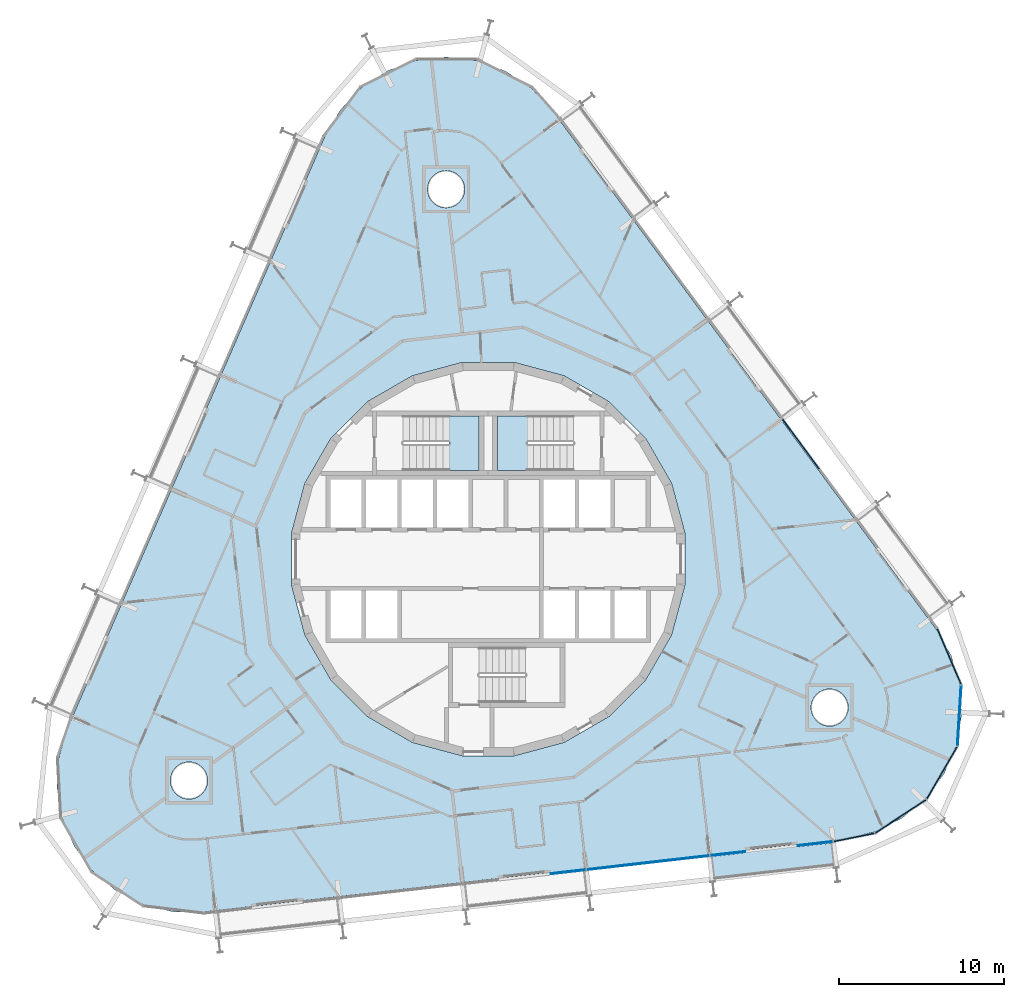
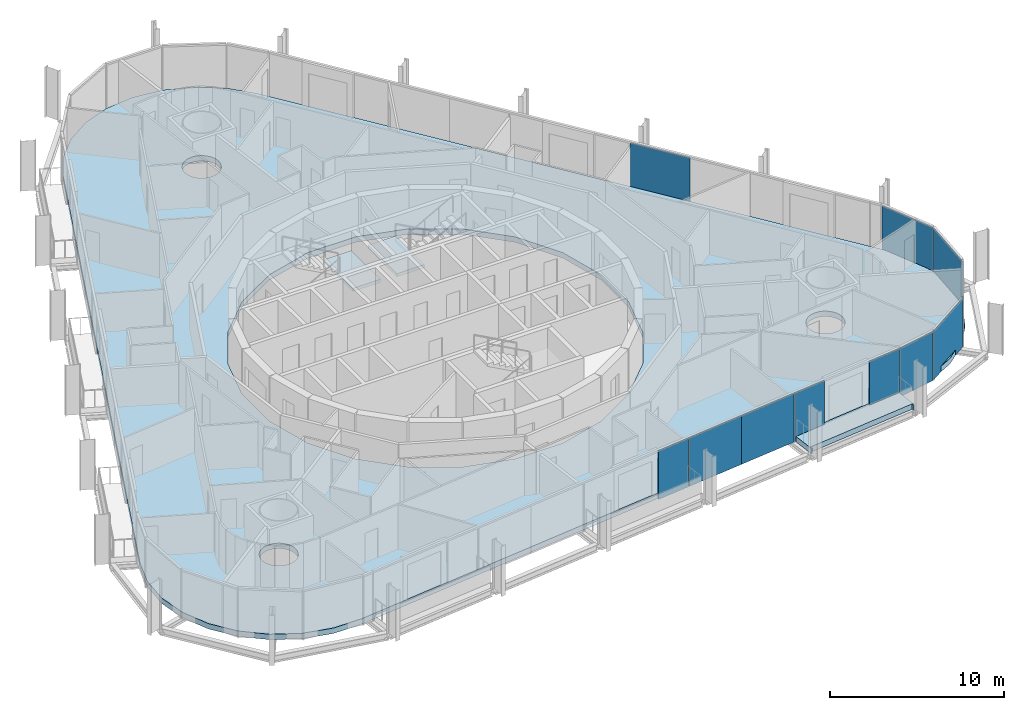
# One storey, part 14 of 24: 11 plates, 4 slabs, 5 elements without a shape of their own.
"""IFC4 building model written with IfcOpenShell, lengths in metres."""

from ifc_helpers import new_model, si_unit, direction, frame, origin, origin_2d, place, context, subcontext, project, spatial, polyline, rectangle, outline, extrude, material, layer, layer_set, type_object, element, aggregate, save


model = new_model("IFC4")

# Units and contexts
model_context = context("Model", 3, precision=1e-05, world=origin(), true_north=direction((0.0, 1.0)))
body_context = subcontext(model_context, "Body", "Model", "MODEL_VIEW")
ifc_project = project(units=[si_unit("LENGTHUNIT", "METRE"), si_unit("AREAUNIT", "SQUARE_METRE"), si_unit("VOLUMEUNIT", "CUBIC_METRE"), si_unit("PLANEANGLEUNIT", "RADIAN"), si_unit("MASSUNIT", "GRAM", prefix="KILO")], contexts=[model_context])

# Site, building, storey
site_placement = place(None, origin())
site = spatial("IfcSite", under=ifc_project, at=site_placement, CompositionType="ELEMENT")
building_placement = place(site_placement, origin())
building = spatial("IfcBuilding", under=site, at=building_placement, Name="Spindle Arch Residences", CompositionType="ELEMENT")
storey_placement = place(building_placement, frame((0.0, 0.0, 101.199951171875)))
storey = spatial("IfcBuildingStorey", under=building, at=storey_placement, Name="L24", CompositionType="ELEMENT", Elevation=101.199951171875)

# Slab
ifc_material_1 = material(Name="Concrete C40/50", Category="concrete")
ifc_layer_1 = layer(ifc_material_1, 0.3798828125)
ifc_layer_set_1 = layer_set([ifc_layer_1], Name="Balcony slab 380")
slab_type_1 = type_object("IfcSlabType", Name="Balcony slab 380", PredefinedType="FLOOR", material=ifc_layer_set_1)
slab_1_placement = place(storey_placement, frame((0.0, 0.0, -0.3798828125)))
element("IfcSlab", 1, at=slab_1_placement, inside=storey, type_object=slab_type_1, Name="Balcony L24 bay 2", PredefinedType="FLOOR", context=body_context, shape_type="SweptSolid", body=[
    extrude(outline(polyline([(13.64697265625, -19.48779296875), (13.7216796875, -19.4794921875), (13.70458984375, -19.330322265625), (20.876953125, -18.51318359375), (20.89404296875, -18.662109375), (20.968505859375, -18.65380859375), (20.7998046875, -17.17333984375), (18.728759765625, -17.4091796875), (18.710693359375, -17.250244140625), (15.53125, -17.612548828125), (15.54931640625, -17.771484375), (13.478271484375, -18.007568359375), (13.64697265625, -19.48779296875)])), origin(), (0.0, 0.0, 1.0), 0.3798828125),
])

# Stair, slab
ifc_material_2 = material(Name="Concrete C50/60", Category="concrete")
stair_type = type_object("IfcStairType", Name="Exit stair 16 risers", PredefinedType="HALF_TURN_STAIR", material=ifc_material_2)
stair_1_placement = place(storey_placement, origin())
stair_1 = element("IfcStair", 2, at=stair_1_placement, inside=storey, type_object=stair_type, Name="L24 Exit stair ST1", PredefinedType="HALF_TURN_STAIR")
ifc_material_3 = material(Name="Concrete C50/60", Category="concrete")
ifc_layer_2 = layer(ifc_material_3, 0.219970703125)
ifc_layer_set_2 = layer_set([ifc_layer_2], Name="Exit stair landing 220")
slab_type_2 = type_object("IfcSlabType", Name="Exit stair landing 220", PredefinedType="LANDING", material=ifc_layer_set_2)
slab_2_placement = place(storey_placement, frame((0.0, 0.0, 1.530029296875)))
slab_2 = element("IfcSlab", 3, at=slab_2_placement, type_object=slab_type_2, Name="ST1 landing 1", PredefinedType="LANDING", context=body_context, shape_type="SweptSolid", body=[
    extrude(outline(polyline([(2.3701171875, 8.669921875), (0.550048828125, 8.669921875), (0.550048828125, 5.35009765625), (2.3701171875, 5.35009765625), (2.3701171875, 8.669921875)])), origin(), (0.0, 0.0, 1.0), 0.219970703125),
])
aggregate(stair_1, [slab_2])

stair_2_placement = place(storey_placement, origin())
stair_2 = element("IfcStair", 4, at=stair_2_placement, inside=storey, type_object=stair_type, Name="L24 Exit stair ST2", PredefinedType="HALF_TURN_STAIR")
slab_3_placement = place(storey_placement, frame((0.0, 0.0, 1.530029296875)))
slab_3 = element("IfcSlab", 5, at=slab_3_placement, type_object=slab_type_2, Name="ST2 landing 1", PredefinedType="LANDING", context=body_context, shape_type="SweptSolid", body=[
    extrude(outline(polyline([(-2.3701171875, 5.35009765625), (-0.550048828125, 5.35009765625), (-0.550048828125, 8.669921875), (-2.3701171875, 8.669921875), (-2.3701171875, 5.35009765625)])), origin(), (0.0, 0.0, 1.0), 0.219970703125),
])
aggregate(stair_2, [slab_3])

# Slab
ifc_material_4 = material(Name="Concrete C40/50", Category="concrete")
ifc_layer_3 = layer(ifc_material_4, 0.3798828125)
ifc_layer_set_3 = layer_set([ifc_layer_3], Name="Floor slab 380")
slab_type_3 = type_object("IfcSlabType", Name="Floor slab 380", PredefinedType="FLOOR", material=ifc_layer_set_3)
slab_4_placement = place(storey_placement, frame((0.0, 0.0, -0.3798828125)))
element("IfcSlab", 6, at=slab_4_placement, inside=storey, type_object=slab_type_3, Name="Floor slab L24", PredefinedType="FLOOR", context=body_context, shape_type="SweptSolid", body=[
    extrude(outline(polyline([(-19.05078125, -21.335693359375), (-20.85693359375, -20.902099609375), (-22.514404296875, -20.0634765625), (-23.933837890625, -18.865478515625), (-25.038818359375, -17.372314453125), (-25.769287109375, -15.66455078125), (-26.086669921875, -13.83447265625), (-25.973388671875, -11.98046875), (-25.435302734375, -10.202392578125), (-9.88525390625, 25.560302734375), (-8.951904296875, 27.166259765625), (-7.673095703125, 28.513671875), (-6.118408203125, 29.52978515625), (-4.37109375, 30.159912109375), (-2.525390625, 30.370361328125), (-0.68115234375, 30.1494140625), (1.0625, 29.5087890625), (2.611328125, 28.483642578125), (3.882080078125, 27.12890625), (27.07861328125, -4.21923828125), (28.002685546875, -5.83056640625), (28.530029296875, -7.611572265625), (28.6328125, -9.46630859375), (28.304931640625, -11.294677734375), (27.564208984375, -12.998046875), (26.45068359375, -14.484619140625), (25.0244140625, -15.674560546875), (23.36181640625, -16.50341796875), (21.55322265625, -16.926513671875), (2.179931640625, -19.1337890625), (-17.193115234375, -21.341064453125), (-19.05078125, -21.335693359375)]), holes=[polyline([(7.30517578125, -9.520263671875), (9.520263671875, -7.30517578125), (11.086669921875, -4.59228515625), (11.897216796875, -1.56640625), (11.897216796875, 1.56640625), (11.086669921875, 4.59228515625), (9.520263671875, 7.30517578125), (7.30517578125, 9.520263671875), (4.59228515625, 11.086669921875), (1.56640625, 11.897216796875), (-1.56640625, 11.897216796875), (-4.59228515625, 11.086669921875), (-7.30517578125, 9.520263671875), (-9.520263671875, 7.30517578125), (-11.086669921875, 4.59228515625), (-11.897216796875, 1.56640625), (-11.897216796875, -1.56640625), (-11.086669921875, -4.59228515625), (-9.520263671875, -7.30517578125), (-7.30517578125, -9.520263671875), (-4.59228515625, -11.086669921875), (-1.56640625, -11.897216796875), (1.56640625, -11.897216796875), (4.59228515625, -11.086669921875), (7.30517578125, -9.520263671875)]), polyline([(-17.303466796875, -14.18798828125), (-17.16357421875, -14.017578125), (-17.0595703125, -13.822998046875), (-16.99560546875, -13.612060546875), (-16.973876953125, -13.392578125), (-16.99560546875, -13.173095703125), (-17.0595703125, -12.9619140625), (-17.16357421875, -12.767578125), (-17.303466796875, -12.596923828125), (-17.473876953125, -12.45703125), (-17.66845703125, -12.35302734375), (-17.87939453125, -12.2890625), (-18.098876953125, -12.267578125), (-18.318359375, -12.2890625), (-18.529296875, -12.35302734375), (-18.723876953125, -12.45703125), (-18.894287109375, -12.596923828125), (-19.0341796875, -12.767578125), (-19.13818359375, -12.9619140625), (-19.202392578125, -13.173095703125), (-19.223876953125, -13.392578125), (-19.202392578125, -13.612060546875), (-19.13818359375, -13.822998046875), (-19.0341796875, -14.017578125), (-18.894287109375, -14.18798828125), (-18.723876953125, -14.327880859375), (-18.529296875, -14.431884765625), (-18.318359375, -14.495849609375), (-18.098876953125, -14.517578125), (-17.87939453125, -14.495849609375), (-17.66845703125, -14.431884765625), (-17.473876953125, -14.327880859375), (-17.303466796875, -14.18798828125)]), polyline([(-1.75341796875, 21.57470703125), (-1.61328125, 21.745361328125), (-1.509521484375, 21.939697265625), (-1.4453125, 22.15087890625), (-1.423828125, 22.370361328125), (-1.4453125, 22.58984375), (-1.509521484375, 22.80078125), (-1.61328125, 22.995361328125), (-1.75341796875, 23.165771484375), (-1.923828125, 23.3056640625), (-2.118408203125, 23.40966796875), (-2.329345703125, 23.4736328125), (-2.548828125, 23.495361328125), (-2.768310546875, 23.4736328125), (-2.979248046875, 23.40966796875), (-3.173828125, 23.3056640625), (-3.34423828125, 23.165771484375), (-3.484130859375, 22.995361328125), (-3.588134765625, 22.80078125), (-3.652099609375, 22.58984375), (-3.673828125, 22.370361328125), (-3.652099609375, 22.15087890625), (-3.588134765625, 21.939697265625), (-3.484130859375, 21.745361328125), (-3.34423828125, 21.57470703125), (-3.173828125, 21.434814453125), (-2.979248046875, 21.330810546875), (-2.768310546875, 21.266845703125), (-2.548828125, 21.245361328125), (-2.329345703125, 21.266845703125), (-2.118408203125, 21.330810546875), (-1.923828125, 21.434814453125), (-1.75341796875, 21.57470703125)]), polyline([(21.443115234375, -9.773193359375), (21.5830078125, -9.602783203125), (21.68701171875, -9.408203125), (21.7509765625, -9.197265625), (21.772705078125, -8.977783203125), (21.7509765625, -8.75830078125), (21.68701171875, -8.54736328125), (21.5830078125, -8.352783203125), (21.443115234375, -8.182373046875), (21.272705078125, -8.04248046875), (21.078125, -7.9384765625), (20.8671875, -7.87451171875), (20.647705078125, -7.852783203125), (20.427978515625, -7.87451171875), (20.217041015625, -7.9384765625), (20.022705078125, -8.04248046875), (19.85205078125, -8.182373046875), (19.712158203125, -8.352783203125), (19.608154296875, -8.54736328125), (19.544189453125, -8.75830078125), (19.522705078125, -8.977783203125), (19.544189453125, -9.197265625), (19.608154296875, -9.408203125), (19.712158203125, -9.602783203125), (19.85205078125, -9.773193359375), (20.022705078125, -9.9130859375), (20.217041015625, -10.01708984375), (20.427978515625, -10.081298828125), (20.647705078125, -10.102783203125), (20.8671875, -10.081298828125), (21.078125, -10.01708984375), (21.272705078125, -9.9130859375), (21.443115234375, -9.773193359375)])]), origin(), (0.0, 0.0, 1.0), 0.3798828125),
])

# Curtain wall, plates
ifc_material_5 = material(Name="Aluminium bronze unitised frame with tinted glass", Category="aluminium")
ifc_layer_4 = layer(ifc_material_5, 0.159912109375)
ifc_layer_set_4 = layer_set([ifc_layer_4], Name="CW-D corner wall on the fillet arcs")
curtain_wall_type_1 = type_object("IfcCurtainWallType", Name="CW-D corner wall on the fillet arcs", PredefinedType="NOTDEFINED", material=ifc_layer_set_4)
curtain_wall_1_placement = place(storey_placement, origin())
curtain_wall_1 = element("IfcCurtainWall", 7, at=curtain_wall_1_placement, inside=storey, type_object=curtain_wall_type_1, Name="CW-D L24 run 1", PredefinedType="NOTDEFINED")
ifc_material_6 = material(Name="Tinted double glazing over aluminium faced non-combustible spandrel zone (K0)", Category="aluminium")
ifc_layer_5 = layer(ifc_material_6, 0.06005859375)
ifc_layer_set_5 = layer_set([ifc_layer_5], Name="Unitised glass panel with E 60 spandrel zone")
plate_type = type_object("IfcPlateType", Name="Unitised glass panel with E 60 spandrel zone", PredefinedType="CURTAIN_PANEL", material=ifc_layer_set_5)
plate_1_placement = place(storey_placement, frame((22.127197265625, -16.83203125, -0.3798828125), z_axis=(0.0, 0.0, 1.0), x_axis=(0.980430998553, 0.196863041416, 0.0)))
plate_1 = element("IfcPlate", 8, at=plate_1_placement, type_object=plate_type, Name="CW-D unit 00", PredefinedType="CURTAIN_PANEL", context=body_context, shape_type="SweptSolid", body=[
    extrude(rectangle(XDim=2.51416015625, YDim=0.06005859375, at=origin_2d()), origin(), (0.0, 0.0, 1.0), 3.3798828125),
])
plate_2_placement = place(storey_placement, frame((24.948974609375, -15.55908203125, -0.3798828125), z_axis=(0.0, 0.0, 1.0), x_axis=(0.83708272954, 0.547076323657, 0.0)))
plate_2 = element("IfcPlate", 9, at=plate_2_placement, type_object=plate_type, Name="CW-D unit 01", PredefinedType="CURTAIN_PANEL", context=body_context, shape_type="SweptSolid", body=[
    extrude(rectangle(XDim=3.666748046875, YDim=0.06005859375, at=origin_2d()), origin(), (0.0, 0.0, 1.0), 3.3798828125),
])
plate_3_placement = place(storey_placement, frame((27.445068359375, -12.9287109375, -0.3798828125), z_axis=(0.0, 0.0, 1.0), x_axis=(0.502517045345, 0.864567301682, 0.0)))
plate_3 = element("IfcPlate", 10, at=plate_3_placement, type_object=plate_type, Name="CW-D unit 02", PredefinedType="CURTAIN_PANEL", context=body_context, shape_type="SweptSolid", body=[
    extrude(rectangle(XDim=3.666748046875, YDim=0.06005859375, at=origin_2d()), origin(), (0.0, 0.0, 1.0), 3.3798828125),
])
plate_4_placement = place(storey_placement, frame((28.4951171875, -9.457763671875, -0.3798828125), z_axis=(0.0, 0.0, 1.0), x_axis=(0.06104853612, 0.998134798631, 0.0)))
plate_4 = element("IfcPlate", 11, at=plate_4_placement, type_object=plate_type, Name="CW-D unit 03", PredefinedType="CURTAIN_PANEL", context=body_context, shape_type="SweptSolid", body=[
    extrude(rectangle(XDim=3.666748046875, YDim=0.06005859375, at=origin_2d()), origin(), (0.0, 0.0, 1.0), 3.3798828125),
])
plate_5_placement = place(storey_placement, frame((27.8759765625, -5.884765625, -0.3798828125), z_axis=(0.0, 0.0, 1.0), x_axis=(-0.393407112882, 0.919364369298, 0.0)))
plate_5 = element("IfcPlate", 12, at=plate_5_placement, type_object=plate_type, Name="CW-D unit 04", PredefinedType="CURTAIN_PANEL", context=body_context, shape_type="SweptSolid", body=[
    extrude(rectangle(XDim=3.666748046875, YDim=0.06005859375, at=origin_2d()), origin(), (0.0, 0.0, 1.0), 3.3798828125),
])
aggregate(curtain_wall_1, [plate_1, plate_2, plate_3, plate_4, plate_5])

# Curtain wall, plate
ifc_material_7 = material(Name="Aluminium bronze unitised frame with tinted glass", Category="aluminium")
ifc_layer_6 = layer(ifc_material_7, 0.159912109375)
ifc_layer_set_6 = layer_set([ifc_layer_6], Name="CW-C typical residential unitised wall")
curtain_wall_type_2 = type_object("IfcCurtainWallType", Name="CW-C typical residential unitised wall", PredefinedType="NOTDEFINED", material=ifc_layer_set_6)
curtain_wall_2_placement = place(storey_placement, origin())
curtain_wall_2 = element("IfcCurtainWall", 13, at=curtain_wall_2_placement, inside=storey, type_object=curtain_wall_type_2, Name="CW-C L24 run 2", PredefinedType="NOTDEFINED")
plate_6_placement = place(storey_placement, frame((18.90771484375, 6.957275390625, -0.3798828125), z_axis=(0.0, 0.0, 1.0), x_axis=(-0.594822786751, 0.803856860617, 0.0)))
plate_6 = element("IfcPlate", 14, at=plate_6_placement, type_object=plate_type, Name="CW-C unit 06B", PredefinedType="CURTAIN_PANEL", context=body_context, shape_type="SweptSolid", body=[
    extrude(rectangle(XDim=3.7294921875, YDim=0.06005859375, at=origin_2d()), origin(), (0.0, 0.0, 1.0), 3.3798828125),
])
aggregate(curtain_wall_2, [plate_6])

# Curtain wall, plates
curtain_wall_3_placement = place(storey_placement, origin())
curtain_wall_3 = element("IfcCurtainWall", 15, at=curtain_wall_3_placement, inside=storey, type_object=curtain_wall_type_2, Name="CW-C L24 run 6", PredefinedType="NOTDEFINED")
plate_7_placement = place(storey_placement, frame((4.836669921875, -18.91162109375, -0.3798828125), z_axis=(0.0, 0.0, 1.0), x_axis=(0.993571855677, 0.113203213768, 0.0)))
plate_7 = element("IfcPlate", 16, at=plate_7_placement, type_object=plate_type, Name="CW-C unit 23R", PredefinedType="CURTAIN_PANEL", context=body_context, shape_type="SweptSolid", body=[
    extrude(rectangle(XDim=2.12939453125, YDim=0.06005859375, at=origin_2d()), origin(), (0.0, 0.0, 1.0), 3.3798828125),
])
plate_8_placement = place(storey_placement, frame((7.806884765625, -18.5732421875, -0.3798828125), z_axis=(0.0, 0.0, 1.0), x_axis=(0.993571855677, 0.113203213768, 0.0)))
plate_8 = element("IfcPlate", 17, at=plate_8_placement, type_object=plate_type, Name="CW-C unit 00A", PredefinedType="CURTAIN_PANEL", context=body_context, shape_type="SweptSolid", body=[
    extrude(rectangle(XDim=3.7294921875, YDim=0.06005859375, at=origin_2d()), origin(), (0.0, 0.0, 1.0), 3.3798828125),
])
plate_9_placement = place(storey_placement, frame((11.51220703125, -18.15087890625, -0.3798828125), z_axis=(0.0, 0.0, 1.0), x_axis=(0.993571855677, 0.113203213768, 0.0)))
plate_9 = element("IfcPlate", 18, at=plate_9_placement, type_object=plate_type, Name="CW-C unit 00B", PredefinedType="CURTAIN_PANEL", context=body_context, shape_type="SweptSolid", body=[
    extrude(rectangle(XDim=3.7294921875, YDim=0.06005859375, at=origin_2d()), origin(), (0.0, 0.0, 1.0), 3.3798828125),
])
plate_10_placement = place(storey_placement, frame((14.482421875, -17.8125, -0.3798828125), z_axis=(0.0, 0.0, 1.0), x_axis=(0.993571855677, 0.113203213768, 0.0)))
plate_10 = element("IfcPlate", 19, at=plate_10_placement, type_object=plate_type, Name="CW-C unit 01L", PredefinedType="CURTAIN_PANEL", context=body_context, shape_type="SweptSolid", body=[
    extrude(rectangle(XDim=2.12939453125, YDim=0.06005859375, at=origin_2d()), origin(), (0.0, 0.0, 1.0), 3.3798828125),
])
plate_11_placement = place(storey_placement, frame((19.777587890625, -17.209228515625, -0.3798828125), z_axis=(0.0, 0.0, 1.0), x_axis=(0.993571855677, 0.113203213768, 0.0)))
plate_11 = element("IfcPlate", 20, at=plate_11_placement, type_object=plate_type, Name="CW-C unit 01R", PredefinedType="CURTAIN_PANEL", context=body_context, shape_type="SweptSolid", body=[
    extrude(rectangle(XDim=2.12939453125, YDim=0.06005859375, at=origin_2d()), origin(), (0.0, 0.0, 1.0), 3.3798828125),
])
aggregate(curtain_wall_3, [plate_7, plate_8, plate_9, plate_10, plate_11])

save(model, "model.ifc")
